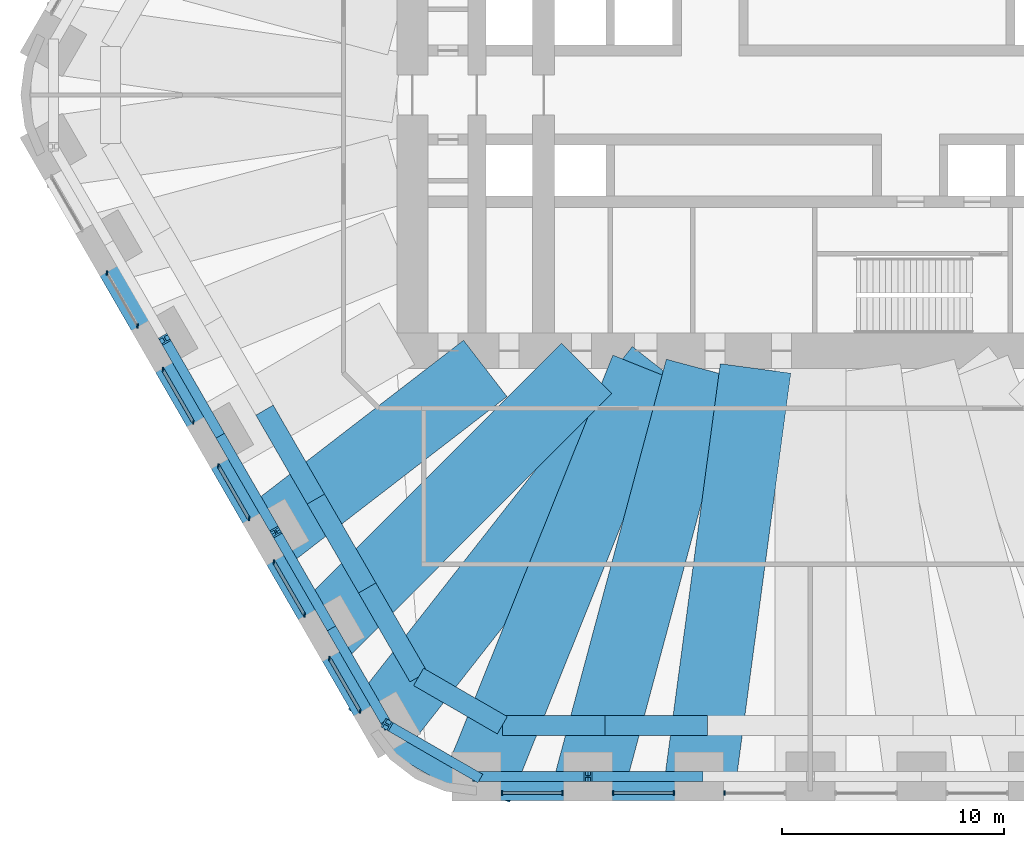
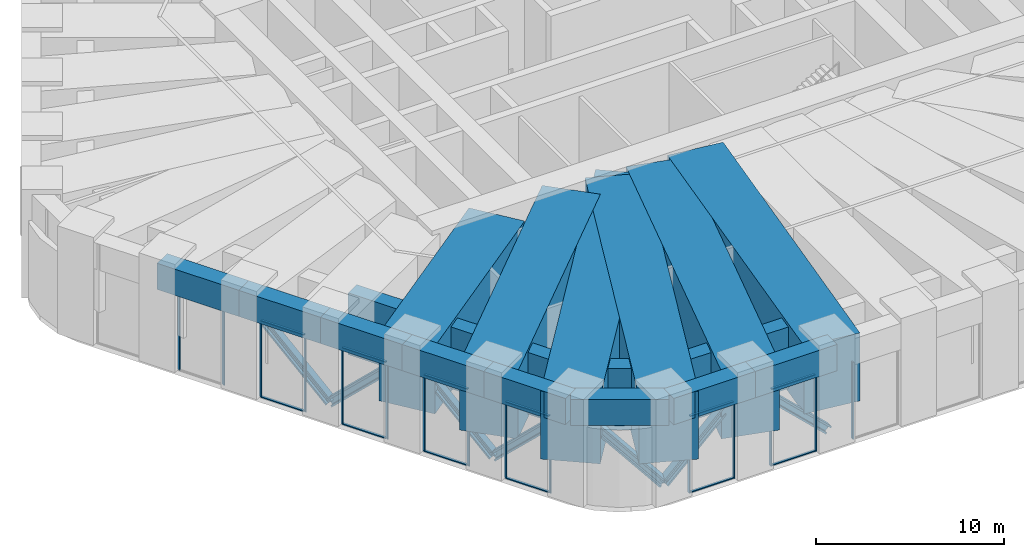
# One storey, part 2 of 16: 34 members, 20 beams, 8 elements without a shape of their own.
"""IFC4 building model written with IfcOpenShell, lengths in metres."""

from ifc_helpers import new_model, si_unit, direction, frame, origin, origin_2d, place, context, subcontext, project, spatial, rectangle, i_section, extrude, material, material_profile, profile_set, type_object, element, aggregate, save


model = new_model("IFC4")

# Units and contexts
model_context = context("Model", 3, precision=1e-05, world=origin(), true_north=direction((0.0, 1.0)))
body_context = subcontext(model_context, "Body", "Model", "MODEL_VIEW")
ifc_project = project(units=[si_unit("LENGTHUNIT", "METRE"), si_unit("AREAUNIT", "SQUARE_METRE"), si_unit("VOLUMEUNIT", "CUBIC_METRE"), si_unit("PLANEANGLEUNIT", "RADIAN"), si_unit("MASSUNIT", "GRAM", prefix="KILO")], contexts=[model_context])

# Site, building, storey
site_placement = place(None, origin())
site = spatial("IfcSite", under=ifc_project, at=site_placement, CompositionType="ELEMENT")
building_placement = place(site_placement, origin())
building = spatial("IfcBuilding", under=site, at=building_placement, Name="Tarfa Lantern Tower", CompositionType="ELEMENT")
storey_placement = place(building_placement, frame((0.0, 0.0, 203.5)))
storey = spatial("IfcBuildingStorey", under=building, at=storey_placement, Name="L46", CompositionType="ELEMENT", Elevation=203.5)

# Members
ifc_material_1 = material(Name="Steel S460M", Category="steel")
ifc_material_profile_1 = material_profile(ifc_material_1, i_section(OverallWidth=0.44189453125, OverallDepth=0.531005859375, WebThickness=0.06591796875, FlangeThickness=0.10595703125, FilletRadius=0.02001953125, at=origin_2d()), Name="HD400x900")
ifc_profile_set_1 = profile_set([ifc_material_profile_1], Name="Steel S460M")
member_type_1 = type_object("IfcMemberType", Name="BT2 HD400x900", PredefinedType="BRACE", material=ifc_profile_set_1)
member_1_placement = place(storey_placement, frame((-26.543701171875, -15.324951171875, 0.60009765625), z_axis=(-0.360813525196, 0.624971138743, 0.69226055483), x_axis=(-0.866033642122, -0.49998573051, 0.0)))
element("IfcMember", 1, at=member_1_placement, inside=storey, type_object=member_type_1, Name="Belt truss diagonal 24", PredefinedType="BRACE", context=body_context, shape_type="SweptSolid", body=[
    extrude(i_section(OverallWidth=0.44189453125, OverallDepth=0.531005859375, WebThickness=0.06591796875, FlangeThickness=0.10595703125, FilletRadius=0.02001953125, at=origin_2d()), origin(), (0.0, 0.0, 1.0), 6.93359375),
])
member_2_placement = place(storey_placement, frame((-26.543701171875, -15.324951171875, 0.60009765625), z_axis=(0.360836211576, -0.624984656077, 0.692236526112), x_axis=(0.866024712477, 0.500001197378, 0.0)))
element("IfcMember", 2, at=member_2_placement, inside=storey, type_object=member_type_1, Name="Belt truss diagonal 25", PredefinedType="BRACE", context=body_context, shape_type="SweptSolid", body=[
    extrude(i_section(OverallWidth=0.44189453125, OverallDepth=0.531005859375, WebThickness=0.06591796875, FlangeThickness=0.10595703125, FilletRadius=0.02001953125, at=origin_2d()), origin(), (0.0, 0.0, 1.0), 6.933837890625),
])
for number, where, z_axis, x_axis, name in (
    (3, (-21.5400390625, -23.99169921875, 0.60009765625), (-0.360813525196, 0.624971138743, 0.69226055483), (-0.866033642122, -0.49998573051, 0.0), "Belt truss diagonal 26"),
    (4, (-21.5400390625, -23.99169921875, 0.60009765625), (0.360844152163, -0.624963198354, 0.692251759516), (0.866012514114, 0.500022324899, 0.0), "Belt truss diagonal 27"),
):
    element("IfcMember", number, at=place(storey_placement, frame(where, z_axis=z_axis, x_axis=x_axis)), inside=storey, type_object=member_type_1, Name=name, PredefinedType="BRACE", context=body_context, shape_type="SweptSolid", body=[
        extrude(i_section(OverallWidth=0.44189453125, OverallDepth=0.531005859375, WebThickness=0.06591796875, FlangeThickness=0.10595703125, FilletRadius=0.02001953125, at=origin_2d()), origin(), (0.0, 0.0, 1.0), 6.93359375),
    ])
member_3_placement = place(storey_placement, frame((-15.010986328125, -30.64990234375, 0.60009765625), z_axis=(-0.602598278407, 0.34789593242, 0.718222622218), x_axis=(-0.499984536904, -0.866034331223, 0.0)))
element("IfcMember", 5, at=member_3_placement, inside=storey, type_object=member_type_1, Name="Belt truss diagonal 28", PredefinedType="BRACE", context=body_context, shape_type="SweptSolid", body=[
    extrude(i_section(OverallWidth=0.44189453125, OverallDepth=0.531005859375, WebThickness=0.06591796875, FlangeThickness=0.10595703125, FilletRadius=0.02001953125, at=origin_2d()), origin(), (0.0, 0.0, 1.0), 6.682861328125),
])
for number, where, z_axis, x_axis, name in (
    (6, (-15.010986328125, -30.64990234375, 0.60009765625), (0.721654649974, 0.0, 0.692253252915), (0.0, 1.0, 0.0), "Belt truss diagonal 29"),
    (7, (-5.003662109375, -30.64990234375, 0.60009765625), (-0.721654649974, 0.0, 0.692253252915), (0.0, -1.0, 0.0), "Belt truss diagonal 30"),
):
    element("IfcMember", number, at=place(storey_placement, frame(where, z_axis=z_axis, x_axis=x_axis)), inside=storey, type_object=member_type_1, Name=name, PredefinedType="BRACE", context=body_context, shape_type="SweptSolid", body=[
        extrude(i_section(OverallWidth=0.44189453125, OverallDepth=0.531005859375, WebThickness=0.06591796875, FlangeThickness=0.10595703125, FilletRadius=0.02001953125, at=origin_2d()), origin(), (0.0, 0.0, 1.0), 6.93359375),
    ])

# Curtain wall, members
ifc_material_2 = material(Name="Aluminium framed curtain wall", Category="aluminium")
curtain_wall_type = type_object("IfcCurtainWallType", Name="CW6 LOUVRED SCREEN WALL 5000", PredefinedType="USERDEFINED", material=ifc_material_2)
curtain_wall_1_placement = place(storey_placement, origin())
curtain_wall_1 = element("IfcCurtainWall", 8, at=curtain_wall_1_placement, inside=storey, type_object=curtain_wall_type, Name="CW6 SW L46", ObjectType="CURTAIN WALL", PredefinedType="USERDEFINED")
ifc_material_3 = material(Name="Aluminium mullion", Category="aluminium")
ifc_material_profile_2 = material_profile(ifc_material_3, rectangle(XDim=0.06494140625, YDim=0.199951171875, at=origin_2d()), Name="AL MULLION 65x200")
ifc_profile_set_2 = profile_set([ifc_material_profile_2], Name="Aluminium mullion")
member_type_2 = type_object("IfcMemberType", Name="CWM1 MULLION 65x200", PredefinedType="MULLION", material=ifc_profile_set_2)
member_4_placement = place(storey_placement, frame((-31.630615234375, -8.01416015625, 0.0), z_axis=(0.0, 0.0, 1.0), x_axis=(1.0, 0.0, 0.0)))
member_4 = element("IfcMember", 9, at=member_4_placement, type_object=member_type_2, Name="CW6 mullion 1", PredefinedType="MULLION", context=body_context, shape_type="SweptSolid", body=[
    extrude(rectangle(XDim=0.06494140625, YDim=0.199951171875, at=origin_2d()), origin(), (0.0, 0.0, 1.0), 5.0),
])
member_5_placement = place(storey_placement, frame((-30.26123046875, -10.385986328125, 0.0), z_axis=(0.0, 0.0, 1.0), x_axis=(1.0, 0.0, 0.0)))
member_5 = element("IfcMember", 10, at=member_5_placement, type_object=member_type_2, Name="CW6 mullion 2", PredefinedType="MULLION", context=body_context, shape_type="SweptSolid", body=[
    extrude(rectangle(XDim=0.06494140625, YDim=0.199951171875, at=origin_2d()), origin(), (0.0, 0.0, 1.0), 5.0),
])
aggregate(curtain_wall_1, [member_4, member_5])

curtain_wall_2_placement = place(storey_placement, origin())
curtain_wall_2 = element("IfcCurtainWall", 11, at=curtain_wall_2_placement, inside=storey, type_object=curtain_wall_type, Name="CW6 SW L46", ObjectType="CURTAIN WALL", PredefinedType="USERDEFINED")
member_6_placement = place(storey_placement, frame((-29.12890625, -12.347412109375, 0.0), z_axis=(0.0, 0.0, 1.0), x_axis=(1.0, 0.0, 0.0)))
member_6 = element("IfcMember", 12, at=member_6_placement, type_object=member_type_2, Name="CW6 mullion 1", PredefinedType="MULLION", context=body_context, shape_type="SweptSolid", body=[
    extrude(rectangle(XDim=0.06494140625, YDim=0.199951171875, at=origin_2d()), origin(), (0.0, 0.0, 1.0), 5.0),
])
member_7_placement = place(storey_placement, frame((-27.759521484375, -14.71923828125, 0.0), z_axis=(0.0, 0.0, 1.0), x_axis=(1.0, 0.0, 0.0)))
member_7 = element("IfcMember", 13, at=member_7_placement, type_object=member_type_2, Name="CW6 mullion 2", PredefinedType="MULLION", context=body_context, shape_type="SweptSolid", body=[
    extrude(rectangle(XDim=0.06494140625, YDim=0.199951171875, at=origin_2d()), origin(), (0.0, 0.0, 1.0), 5.0),
])

curtain_wall_3_placement = place(storey_placement, origin())
curtain_wall_3 = element("IfcCurtainWall", 14, at=curtain_wall_3_placement, inside=storey, type_object=curtain_wall_type, Name="CW6 SW L46", ObjectType="CURTAIN WALL", PredefinedType="USERDEFINED")
member_8_placement = place(storey_placement, frame((-26.626953125, -16.6806640625, 0.0), z_axis=(0.0, 0.0, 1.0), x_axis=(1.0, 0.0, 0.0)))
member_8 = element("IfcMember", 15, at=member_8_placement, type_object=member_type_2, Name="CW6 mullion 1", PredefinedType="MULLION", context=body_context, shape_type="SweptSolid", body=[
    extrude(rectangle(XDim=0.06494140625, YDim=0.199951171875, at=origin_2d()), origin(), (0.0, 0.0, 1.0), 5.0),
])
member_9_placement = place(storey_placement, frame((-25.257568359375, -19.052490234375, 0.0), z_axis=(0.0, 0.0, 1.0), x_axis=(1.0, 0.0, 0.0)))
member_9 = element("IfcMember", 16, at=member_9_placement, type_object=member_type_2, Name="CW6 mullion 2", PredefinedType="MULLION", context=body_context, shape_type="SweptSolid", body=[
    extrude(rectangle(XDim=0.06494140625, YDim=0.199951171875, at=origin_2d()), origin(), (0.0, 0.0, 1.0), 5.0),
])

curtain_wall_4_placement = place(storey_placement, origin())
curtain_wall_4 = element("IfcCurtainWall", 17, at=curtain_wall_4_placement, inside=storey, type_object=curtain_wall_type, Name="CW6 SW L46", ObjectType="CURTAIN WALL", PredefinedType="USERDEFINED")
member_10_placement = place(storey_placement, frame((-24.125, -21.01416015625, 0.0), z_axis=(0.0, 0.0, 1.0), x_axis=(1.0, 0.0, 0.0)))
member_10 = element("IfcMember", 18, at=member_10_placement, type_object=member_type_2, Name="CW6 mullion 1", PredefinedType="MULLION", context=body_context, shape_type="SweptSolid", body=[
    extrude(rectangle(XDim=0.06494140625, YDim=0.199951171875, at=origin_2d()), origin(), (0.0, 0.0, 1.0), 5.0),
])
member_11_placement = place(storey_placement, frame((-22.755859375, -23.385986328125, 0.0), z_axis=(0.0, 0.0, 1.0), x_axis=(1.0, 0.0, 0.0)))
member_11 = element("IfcMember", 19, at=member_11_placement, type_object=member_type_2, Name="CW6 mullion 2", PredefinedType="MULLION", context=body_context, shape_type="SweptSolid", body=[
    extrude(rectangle(XDim=0.06494140625, YDim=0.199951171875, at=origin_2d()), origin(), (0.0, 0.0, 1.0), 5.0),
])

curtain_wall_5_placement = place(storey_placement, origin())
curtain_wall_5 = element("IfcCurtainWall", 20, at=curtain_wall_5_placement, inside=storey, type_object=curtain_wall_type, Name="CW6 SW L46", ObjectType="CURTAIN WALL", PredefinedType="USERDEFINED")
member_12_placement = place(storey_placement, frame((-21.623291015625, -25.347412109375, 0.0), z_axis=(0.0, 0.0, 1.0), x_axis=(1.0, 0.0, 0.0)))
member_12 = element("IfcMember", 21, at=member_12_placement, type_object=member_type_2, Name="CW6 mullion 1", PredefinedType="MULLION", context=body_context, shape_type="SweptSolid", body=[
    extrude(rectangle(XDim=0.06494140625, YDim=0.199951171875, at=origin_2d()), origin(), (0.0, 0.0, 1.0), 5.0),
])
member_13_placement = place(storey_placement, frame((-20.25390625, -27.71923828125, 0.0), z_axis=(0.0, 0.0, 1.0), x_axis=(1.0, 0.0, 0.0)))
member_13 = element("IfcMember", 22, at=member_13_placement, type_object=member_type_2, Name="CW6 mullion 2", PredefinedType="MULLION", context=body_context, shape_type="SweptSolid", body=[
    extrude(rectangle(XDim=0.06494140625, YDim=0.199951171875, at=origin_2d()), origin(), (0.0, 0.0, 1.0), 5.0),
])

curtain_wall_6_placement = place(storey_placement, origin())
curtain_wall_6 = element("IfcCurtainWall", 23, at=curtain_wall_6_placement, inside=storey, type_object=curtain_wall_type, Name="CW6 S L46", ObjectType="CURTAIN WALL", PredefinedType="USERDEFINED")
member_14_placement = place(storey_placement, frame((-13.878662109375, -31.39990234375, 0.0), z_axis=(0.0, 0.0, 1.0), x_axis=(1.0, 0.0, 0.0)))
member_14 = element("IfcMember", 24, at=member_14_placement, type_object=member_type_2, Name="CW6 mullion 1", PredefinedType="MULLION", context=body_context, shape_type="SweptSolid", body=[
    extrude(rectangle(XDim=0.06494140625, YDim=0.199951171875, at=origin_2d()), origin(), (0.0, 0.0, 1.0), 5.0),
])
member_15_placement = place(storey_placement, frame((-11.139892578125, -31.39990234375, 0.0), z_axis=(0.0, 0.0, 1.0), x_axis=(1.0, 0.0, 0.0)))
member_15 = element("IfcMember", 25, at=member_15_placement, type_object=member_type_2, Name="CW6 mullion 2", PredefinedType="MULLION", context=body_context, shape_type="SweptSolid", body=[
    extrude(rectangle(XDim=0.06494140625, YDim=0.199951171875, at=origin_2d()), origin(), (0.0, 0.0, 1.0), 5.0),
])

curtain_wall_7_placement = place(storey_placement, origin())
curtain_wall_7 = element("IfcCurtainWall", 26, at=curtain_wall_7_placement, inside=storey, type_object=curtain_wall_type, Name="CW6 S L46", ObjectType="CURTAIN WALL", PredefinedType="USERDEFINED")
member_16_placement = place(storey_placement, frame((-8.875, -31.39990234375, 0.0), z_axis=(0.0, 0.0, 1.0), x_axis=(1.0, 0.0, 0.0)))
member_16 = element("IfcMember", 27, at=member_16_placement, type_object=member_type_2, Name="CW6 mullion 1", PredefinedType="MULLION", context=body_context, shape_type="SweptSolid", body=[
    extrude(rectangle(XDim=0.06494140625, YDim=0.199951171875, at=origin_2d()), origin(), (0.0, 0.0, 1.0), 5.0),
])
member_17_placement = place(storey_placement, frame((-6.13623046875, -31.39990234375, 0.0), z_axis=(0.0, 0.0, 1.0), x_axis=(1.0, 0.0, 0.0)))
member_17 = element("IfcMember", 28, at=member_17_placement, type_object=member_type_2, Name="CW6 mullion 2", PredefinedType="MULLION", context=body_context, shape_type="SweptSolid", body=[
    extrude(rectangle(XDim=0.06494140625, YDim=0.199951171875, at=origin_2d()), origin(), (0.0, 0.0, 1.0), 5.0),
])

# Curtain wall, member
curtain_wall_8_placement = place(storey_placement, origin())
curtain_wall_8 = element("IfcCurtainWall", 29, at=curtain_wall_8_placement, inside=storey, type_object=curtain_wall_type, Name="CW6 S L46", ObjectType="CURTAIN WALL", PredefinedType="USERDEFINED")
member_18_placement = place(storey_placement, frame((-3.87109375, -31.39990234375, 0.0), z_axis=(0.0, 0.0, 1.0), x_axis=(1.0, 0.0, 0.0)))
member_18 = element("IfcMember", 30, at=member_18_placement, type_object=member_type_2, Name="CW6 mullion 1", PredefinedType="MULLION", context=body_context, shape_type="SweptSolid", body=[
    extrude(rectangle(XDim=0.06494140625, YDim=0.199951171875, at=origin_2d()), origin(), (0.0, 0.0, 1.0), 5.0),
])
aggregate(curtain_wall_8, [member_18])

# Member
ifc_material_4 = material(Name="Aluminium transom", Category="aluminium")
ifc_material_profile_3 = material_profile(ifc_material_4, rectangle(XDim=0.14990234375, YDim=0.06494140625, at=origin_2d()), Name="AL TRANSOM 150x65")
ifc_profile_set_3 = profile_set([ifc_material_profile_3], Name="Aluminium transom")
member_type_3 = type_object("IfcMemberType", Name="CWT1 TRANSOM 150x65", PredefinedType="USERDEFINED", material=ifc_profile_set_3)
member_19_placement = place(storey_placement, frame((-29.112548828125, -12.37548828125, 0.032470703125), z_axis=(0.499988543184, -0.866032018279, 0.0), x_axis=(0.866032018279, 0.499988543184, 0.0)))
member_19 = element("IfcMember", 31, at=member_19_placement, type_object=member_type_3, Name="CW6 transom 1.1", ObjectType="TRANSOM", PredefinedType="USERDEFINED", context=body_context, shape_type="SweptSolid", body=[
    extrude(rectangle(XDim=0.14990234375, YDim=0.06494140625, at=origin_2d()), origin(), (0.0, 0.0, 1.0), 2.673828125),
])

member_20_placement = place(storey_placement, frame((-29.112548828125, -12.37548828125, 4.967529296875), z_axis=(0.499988543184, -0.866032018279, 0.0), x_axis=(0.866032018279, 0.499988543184, 0.0)))
member_20 = element("IfcMember", 32, at=member_20_placement, type_object=member_type_3, Name="CW6 transom 1.2", ObjectType="TRANSOM", PredefinedType="USERDEFINED", context=body_context, shape_type="SweptSolid", body=[
    extrude(rectangle(XDim=0.14990234375, YDim=0.06494140625, at=origin_2d()), origin(), (0.0, 0.0, 1.0), 2.673828125),
])

aggregate(curtain_wall_2, [member_6, member_7, member_19, member_20])

member_21_placement = place(storey_placement, frame((-26.610595703125, -16.708984375, 0.032470703125), z_axis=(0.499959594982, -0.866048730376, 0.0), x_axis=(0.866048730376, 0.499959594982, 0.0)))
member_21 = element("IfcMember", 33, at=member_21_placement, type_object=member_type_3, Name="CW6 transom 1.1", ObjectType="TRANSOM", PredefinedType="USERDEFINED", context=body_context, shape_type="SweptSolid", body=[
    extrude(rectangle(XDim=0.14990234375, YDim=0.06494140625, at=origin_2d()), origin(), (0.0, 0.0, 1.0), 2.673583984375),
])

member_22_placement = place(storey_placement, frame((-26.610595703125, -16.708984375, 4.967529296875), z_axis=(0.499959594982, -0.866048730376, 0.0), x_axis=(0.866048730376, 0.499959594982, 0.0)))
member_22 = element("IfcMember", 34, at=member_22_placement, type_object=member_type_3, Name="CW6 transom 1.2", ObjectType="TRANSOM", PredefinedType="USERDEFINED", context=body_context, shape_type="SweptSolid", body=[
    extrude(rectangle(XDim=0.14990234375, YDim=0.06494140625, at=origin_2d()), origin(), (0.0, 0.0, 1.0), 2.673583984375),
])

aggregate(curtain_wall_3, [member_8, member_9, member_21, member_22])

member_23_placement = place(storey_placement, frame((-24.10888671875, -21.042236328125, 0.032470703125), z_axis=(0.500028081597, -0.86600919026, 0.0), x_axis=(0.86600919026, 0.500028081597, 0.0)))
member_23 = element("IfcMember", 35, at=member_23_placement, type_object=member_type_3, Name="CW6 transom 1.1", ObjectType="TRANSOM", PredefinedType="USERDEFINED", context=body_context, shape_type="SweptSolid", body=[
    extrude(rectangle(XDim=0.14990234375, YDim=0.06494140625, at=origin_2d()), origin(), (0.0, 0.0, 1.0), 2.673583984375),
])

member_24_placement = place(storey_placement, frame((-24.10888671875, -21.042236328125, 4.967529296875), z_axis=(0.500028081597, -0.86600919026, 0.0), x_axis=(0.86600919026, 0.500028081597, 0.0)))
member_24 = element("IfcMember", 36, at=member_24_placement, type_object=member_type_3, Name="CW6 transom 1.2", ObjectType="TRANSOM", PredefinedType="USERDEFINED", context=body_context, shape_type="SweptSolid", body=[
    extrude(rectangle(XDim=0.14990234375, YDim=0.06494140625, at=origin_2d()), origin(), (0.0, 0.0, 1.0), 2.673583984375),
])

aggregate(curtain_wall_4, [member_10, member_11, member_23, member_24])

member_25_placement = place(storey_placement, frame((-21.60693359375, -25.37548828125, 0.032470703125), z_axis=(0.499920058375, -0.866071553184, 0.0), x_axis=(0.866071553184, 0.499920058375, 0.0)))
member_25 = element("IfcMember", 37, at=member_25_placement, type_object=member_type_3, Name="CW6 transom 1.1", ObjectType="TRANSOM", PredefinedType="USERDEFINED", context=body_context, shape_type="SweptSolid", body=[
    extrude(rectangle(XDim=0.14990234375, YDim=0.06494140625, at=origin_2d()), origin(), (0.0, 0.0, 1.0), 2.673828125),
])

member_26_placement = place(storey_placement, frame((-21.60693359375, -25.37548828125, 4.967529296875), z_axis=(0.499920058375, -0.866071553184, 0.0), x_axis=(0.866071553184, 0.499920058375, 0.0)))
member_26 = element("IfcMember", 38, at=member_26_placement, type_object=member_type_3, Name="CW6 transom 1.2", ObjectType="TRANSOM", PredefinedType="USERDEFINED", context=body_context, shape_type="SweptSolid", body=[
    extrude(rectangle(XDim=0.14990234375, YDim=0.06494140625, at=origin_2d()), origin(), (0.0, 0.0, 1.0), 2.673828125),
])

aggregate(curtain_wall_5, [member_12, member_13, member_25, member_26])

member_27_placement = place(storey_placement, frame((-13.84619140625, -31.39990234375, 0.032470703125), z_axis=(1.0, 0.0, 0.0), x_axis=(0.0, 1.0, 0.0)))
member_27 = element("IfcMember", 39, at=member_27_placement, type_object=member_type_3, Name="CW6 transom 1.1", ObjectType="TRANSOM", PredefinedType="USERDEFINED", context=body_context, shape_type="SweptSolid", body=[
    extrude(rectangle(XDim=0.14990234375, YDim=0.06494140625, at=origin_2d()), origin(), (0.0, 0.0, 1.0), 2.673828125),
])

member_28_placement = place(storey_placement, frame((-13.84619140625, -31.39990234375, 4.967529296875), z_axis=(1.0, 0.0, 0.0), x_axis=(0.0, 1.0, 0.0)))
member_28 = element("IfcMember", 40, at=member_28_placement, type_object=member_type_3, Name="CW6 transom 1.2", ObjectType="TRANSOM", PredefinedType="USERDEFINED", context=body_context, shape_type="SweptSolid", body=[
    extrude(rectangle(XDim=0.14990234375, YDim=0.06494140625, at=origin_2d()), origin(), (0.0, 0.0, 1.0), 2.673828125),
])

aggregate(curtain_wall_6, [member_14, member_15, member_27, member_28])

member_29_placement = place(storey_placement, frame((-8.84228515625, -31.39990234375, 0.032470703125), z_axis=(1.0, 0.0, 0.0), x_axis=(0.0, 1.0, 0.0)))
member_29 = element("IfcMember", 41, at=member_29_placement, type_object=member_type_3, Name="CW6 transom 1.1", ObjectType="TRANSOM", PredefinedType="USERDEFINED", context=body_context, shape_type="SweptSolid", body=[
    extrude(rectangle(XDim=0.14990234375, YDim=0.06494140625, at=origin_2d()), origin(), (0.0, 0.0, 1.0), 2.673583984375),
])

member_30_placement = place(storey_placement, frame((-8.84228515625, -31.39990234375, 4.967529296875), z_axis=(1.0, 0.0, 0.0), x_axis=(0.0, 1.0, 0.0)))
member_30 = element("IfcMember", 42, at=member_30_placement, type_object=member_type_3, Name="CW6 transom 1.2", ObjectType="TRANSOM", PredefinedType="USERDEFINED", context=body_context, shape_type="SweptSolid", body=[
    extrude(rectangle(XDim=0.14990234375, YDim=0.06494140625, at=origin_2d()), origin(), (0.0, 0.0, 1.0), 2.673583984375),
])

aggregate(curtain_wall_7, [member_16, member_17, member_29, member_30])

# Beams
ifc_material_5 = material(Name="Concrete C80/95", Category="concrete")
ifc_material_profile_4 = material_profile(ifc_material_5, rectangle(XDim=1.050048828125, YDim=1.699951171875, at=origin_2d()), Name="RC 1050x1700")
ifc_profile_set_4 = profile_set([ifc_material_profile_4], Name="Concrete C80/95")
beam_type_1 = type_object("IfcBeamType", Name="RB2 RC 1050x1700", PredefinedType="BEAM", material=ifc_profile_set_4)
for number, where, z_axis, x_axis, name in (
    (43, (-32.041015625, -6.943359375, 5.85009765625), (0.500022324899, -0.866012514114, 0.0), (0.866012514114, 0.500022324899, 0.0), "Edge beam SW1"),
    (44, (-29.5390625, -11.276611328125, 5.85009765625), (0.499964603504, -0.866045838996, 0.0), (0.866045838996, 0.499964603504, 0.0), "Edge beam SW2"),
    (45, (-27.037353515625, -15.610107421875, 5.85009765625), (0.500022324899, -0.866012514114, 0.0), (0.866012514114, 0.500022324899, 0.0), "Edge beam SW3"),
    (46, (-24.535400390625, -19.943359375, 5.85009765625), (0.49998573051, -0.866033642122, 0.0), (0.866033642122, 0.49998573051, 0.0), "Edge beam SW4"),
):
    element("IfcBeam", number, at=place(storey_placement, frame(where, z_axis=z_axis, x_axis=x_axis)), inside=storey, type_object=beam_type_1, Name=name, PredefinedType="BEAM", context=body_context, shape_type="SweptSolid", body=[
        extrude(rectangle(XDim=1.050048828125, YDim=1.699951171875, at=origin_2d()), origin(), (0.0, 0.0, 1.0), 5.003662109375),
    ])
beam_1_placement = place(storey_placement, frame((-22.03369140625, -24.276611328125, 5.85009765625), z_axis=(0.500001197378, -0.866024712477, 0.0), x_axis=(0.866024712477, 0.500001197378, 0.0)))
element("IfcBeam", 47, at=beam_1_placement, inside=storey, type_object=beam_type_1, Name="Edge beam SW5", PredefinedType="BEAM", context=body_context, shape_type="SweptSolid", body=[
    extrude(rectangle(XDim=1.050048828125, YDim=1.699951171875, at=origin_2d()), origin(), (0.0, 0.0, 1.0), 5.00390625),
])
beam_2_placement = place(storey_placement, frame((-19.53173828125, -28.610107421875, 5.85009765625), z_axis=(0.86604150238, -0.499972115377, 0.0), x_axis=(0.499972115377, 0.86604150238, 0.0)))
element("IfcBeam", 48, at=beam_2_placement, inside=storey, type_object=beam_type_1, Name="Edge beam SW6", PredefinedType="BEAM", context=body_context, shape_type="SweptSolid", body=[
    extrude(rectangle(XDim=1.050048828125, YDim=1.699951171875, at=origin_2d()), origin(), (0.0, 0.0, 1.0), 5.219970703125),
])
for number, where, z_axis, x_axis, name in (
    (49, (-15.010986328125, -31.219970703125, 5.85009765625), (1.0, 0.0, 0.0), (0.0, 1.0, 0.0), "Edge beam S0"),
    (50, (-10.00732421875, -31.219970703125, 5.85009765625), (1.0, 0.0, 0.0), (0.0, 1.0, 0.0), "Edge beam S1"),
):
    element("IfcBeam", number, at=place(storey_placement, frame(where, z_axis=z_axis, x_axis=x_axis)), inside=storey, type_object=beam_type_1, Name=name, PredefinedType="BEAM", context=body_context, shape_type="SweptSolid", body=[
        extrude(rectangle(XDim=1.050048828125, YDim=1.699951171875, at=origin_2d()), origin(), (0.0, 0.0, 1.0), 5.003662109375),
    ])
ifc_material_profile_5 = material_profile(ifc_material_5, rectangle(XDim=0.89990234375, YDim=4.0, at=origin_2d()), Name="RC 900x4000")
ifc_profile_set_5 = profile_set([ifc_material_profile_5], Name="Concrete C80/95")
beam_type_2 = type_object("IfcBeamType", Name="RG2 RC 900x4000", PredefinedType="BEAM", material=ifc_profile_set_5)
for number, where, z_axis, x_axis, name in (
    (51, (-24.5517578125, -14.175048828125, 4.5), (0.499987836815, -0.866032426089, 0.0), (0.866032426089, 0.499987836815, 0.0), "Ring girder SW3"),
    (52, (-22.242431640625, -18.175048828125, 4.5), (0.499987836815, -0.866032426089, 0.0), (0.866032426089, 0.499987836815, 0.0), "Ring girder SW4"),
):
    element("IfcBeam", number, at=place(storey_placement, frame(where, z_axis=z_axis, x_axis=x_axis)), inside=storey, type_object=beam_type_2, Name=name, PredefinedType="BEAM", context=body_context, shape_type="SweptSolid", body=[
        extrude(rectangle(XDim=0.89990234375, YDim=4.0, at=origin_2d()), origin(), (0.0, 0.0, 1.0), 4.61865234375),
    ])
beam_3_placement = place(storey_placement, frame((-19.93310546875, -22.175048828125, 4.5), z_axis=(0.500027479704, -0.866009537788, 0.0), x_axis=(0.866009537788, 0.500027479704, 0.0)))
element("IfcBeam", 53, at=beam_3_placement, inside=storey, type_object=beam_type_2, Name="Ring girder SW5", PredefinedType="BEAM", context=body_context, shape_type="SweptSolid", body=[
    extrude(rectangle(XDim=0.89990234375, YDim=4.0, at=origin_2d()), origin(), (0.0, 0.0, 1.0), 4.618896484375),
])
beam_4_placement = place(storey_placement, frame((-17.62353515625, -26.175048828125, 4.5), z_axis=(0.866013608182, -0.500020430026, 0.0), x_axis=(0.500020430026, 0.866013608182, 0.0)))
element("IfcBeam", 54, at=beam_4_placement, inside=storey, type_object=beam_type_2, Name="Ring girder SW6", PredefinedType="BEAM", context=body_context, shape_type="SweptSolid", body=[
    extrude(rectangle(XDim=0.89990234375, YDim=4.0, at=origin_2d()), origin(), (0.0, 0.0, 1.0), 4.349853515625),
])
beam_5_placement = place(storey_placement, frame((-13.8564453125, -28.35009765625, 4.5), z_axis=(1.0, 0.0, 0.0), x_axis=(0.0, 1.0, 0.0)))
element("IfcBeam", 55, at=beam_5_placement, inside=storey, type_object=beam_type_2, Name="Ring girder S0", PredefinedType="BEAM", context=body_context, shape_type="SweptSolid", body=[
    extrude(rectangle(XDim=0.89990234375, YDim=4.0, at=origin_2d()), origin(), (0.0, 0.0, 1.0), 4.618896484375),
])
beam_6_placement = place(storey_placement, frame((-9.237548828125, -28.35009765625, 4.5), z_axis=(1.0, 0.0, 0.0), x_axis=(0.0, 1.0, 0.0)))
element("IfcBeam", 56, at=beam_6_placement, inside=storey, type_object=beam_type_2, Name="Ring girder S1", PredefinedType="BEAM", context=body_context, shape_type="SweptSolid", body=[
    extrude(rectangle(XDim=0.89990234375, YDim=4.0, at=origin_2d()), origin(), (0.0, 0.0, 1.0), 4.61865234375),
])
ifc_material_profile_6 = material_profile(ifc_material_5, rectangle(XDim=3.199951171875, YDim=4.39990234375, at=origin_2d()), Name="RC 3200x4400")
ifc_profile_set_6 = profile_set([ifc_material_profile_6], Name="Concrete C80/95")
beam_type_3 = type_object("IfcBeamType", Name="TG2 RC 3200x4400", PredefinedType="BEAM", material=ifc_profile_set_6)
beam_7_placement = place(storey_placement, frame((-24.535400390625, -19.943359375, 4.5), z_axis=(0.791875774463, 0.610682206895, 0.0), x_axis=(-0.610682206895, 0.791875774463, 0.0)))
element("IfcBeam", 57, at=beam_7_placement, inside=storey, type_object=beam_type_3, Name="Transfer girder SW4", PredefinedType="BEAM", context=body_context, shape_type="SweptSolid", body=[
    extrude(rectangle(XDim=3.199951171875, YDim=4.39990234375, at=origin_2d()), origin(), (0.0, 0.0, 1.0), 12.51611328125),
])
beam_8_placement = place(storey_placement, frame((-22.03369140625, -24.276611328125, 4.5), z_axis=(0.706933746377, 0.707279773663, 0.0), x_axis=(-0.707279773663, 0.706933746377, 0.0)))
element("IfcBeam", 58, at=beam_8_placement, inside=storey, type_object=beam_type_3, Name="Transfer girder SW5", PredefinedType="BEAM", context=body_context, shape_type="SweptSolid", body=[
    extrude(rectangle(XDim=3.199951171875, YDim=4.39990234375, at=origin_2d()), origin(), (0.0, 0.0, 1.0), 16.933349609375),
])
beam_9_placement = place(storey_placement, frame((-19.53173828125, -28.610107421875, 4.5), z_axis=(0.616805321838, 0.787115744317, 0.0), x_axis=(-0.787115744317, 0.616805321838, 0.0)))
element("IfcBeam", 59, at=beam_9_placement, inside=storey, type_object=beam_type_3, Name="Transfer girder SW6", PredefinedType="BEAM", context=body_context, shape_type="SweptSolid", body=[
    extrude(rectangle(XDim=3.199951171875, YDim=4.39990234375, at=origin_2d()), origin(), (0.0, 0.0, 1.0), 20.72119140625),
])
beam_10_placement = place(storey_placement, frame((-15.010986328125, -31.219970703125, 4.5), z_axis=(0.37325373852, 0.927729296013, 0.0), x_axis=(-0.927729296013, 0.37325373852, 0.0)))
element("IfcBeam", 60, at=beam_10_placement, inside=storey, type_object=beam_type_3, Name="Transfer girder S0", PredefinedType="BEAM", context=body_context, shape_type="SweptSolid", body=[
    extrude(rectangle(XDim=3.199951171875, YDim=4.39990234375, at=origin_2d()), origin(), (0.0, 0.0, 1.0), 20.393798828125),
])
beam_11_placement = place(storey_placement, frame((-10.00732421875, -31.219970703125, 4.5), z_axis=(0.259063343821, 0.965860333531, 0.0), x_axis=(-0.965860333531, 0.259063343821, 0.0)))
element("IfcBeam", 61, at=beam_11_placement, inside=storey, type_object=beam_type_3, Name="Transfer girder S1", PredefinedType="BEAM", context=body_context, shape_type="SweptSolid", body=[
    extrude(rectangle(XDim=3.199951171875, YDim=4.39990234375, at=origin_2d()), origin(), (0.0, 0.0, 1.0), 19.588623046875),
])
beam_12_placement = place(storey_placement, frame((-5.003662109375, -31.219970703125, 4.5), z_axis=(0.132920154613, 0.991126748957, 0.0), x_axis=(-0.991126748957, 0.132920154613, 0.0)))
element("IfcBeam", 62, at=beam_12_placement, inside=storey, type_object=beam_type_3, Name="Transfer girder S2", PredefinedType="BEAM", context=body_context, shape_type="SweptSolid", body=[
    extrude(rectangle(XDim=3.199951171875, YDim=4.39990234375, at=origin_2d()), origin(), (0.0, 0.0, 1.0), 19.08935546875),
])

save(model, "model.ifc")
